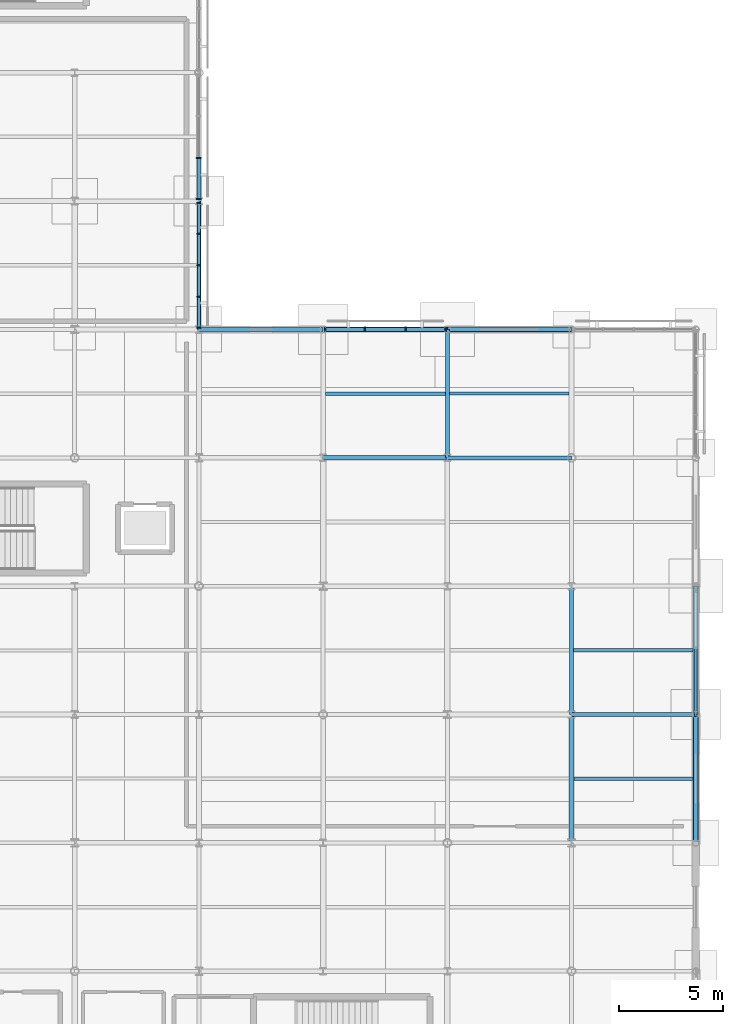
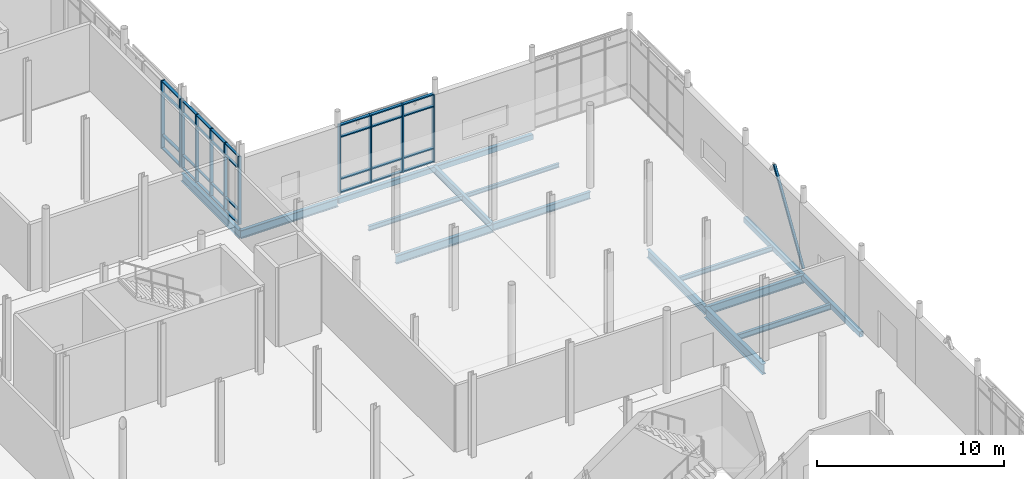
# One storey, part 55 of 98: 44 members, 16 beams, 3 elements without a shape of their own.
"""IFC4 building model written with IfcOpenShell, lengths in metres."""

from ifc_helpers import new_model, si_unit, direction, frame, origin, origin_2d, place, context, subcontext, project, spatial, rectangle, hollow_rectangle, i_section, extrude, material, layer, layer_set, material_profile, profile_set, type_object, element, aggregate, save


model = new_model("IFC4")

# Units and contexts
model_context = context("Model", 3, precision=1e-05, world=origin(), true_north=direction((0.0, 1.0)))
body_context = subcontext(model_context, "Body", "Model", "MODEL_VIEW")
ifc_project = project(units=[si_unit("LENGTHUNIT", "METRE"), si_unit("AREAUNIT", "SQUARE_METRE"), si_unit("VOLUMEUNIT", "CUBIC_METRE"), si_unit("PLANEANGLEUNIT", "RADIAN"), si_unit("MASSUNIT", "GRAM", prefix="KILO")], contexts=[model_context])

# Site, building, storey
site_placement = place(None, origin())
site = spatial("IfcSite", under=ifc_project, at=site_placement, CompositionType="ELEMENT")
building_placement = place(site_placement, origin())
building = spatial("IfcBuilding", under=site, at=building_placement, Name="Mirzam Square Science Centre", CompositionType="ELEMENT")
storey_placement = place(building_placement, origin())
storey = spatial("IfcBuildingStorey", under=building, at=storey_placement, Name="L00", CompositionType="ELEMENT", Elevation=0.0)

# Beams
ifc_material_1 = material(Name="Steel S355", Category="steel")
ifc_material_profile_1 = material_profile(ifc_material_1, i_section(OverallWidth=0.19140625, OverallDepth=0.4599609375, WebThickness=0.010009765625, FlangeThickness=0.01611328125, FilletRadius=0.01025390625, at=origin_2d()), Name="457x191x82UB")
ifc_profile_set_1 = profile_set([ifc_material_profile_1], Name="Steel S355")
beam_type_1 = type_object("IfcBeamType", Name="BM-UB457", PredefinedType="BEAM", material=ifc_profile_set_1)
beam_1_placement = place(storey_placement, frame((150.0, 80.60009765625, -0.530029296875), z_axis=(1.0, 0.0, 0.0), x_axis=(0.0, 1.0, 0.0)))
element("IfcBeam", 1, at=beam_1_placement, inside=storey, type_object=beam_type_1, Name="L00 girder X26-14", PredefinedType="BEAM", context=body_context, shape_type="SweptSolid", body=[
    extrude(i_section(OverallWidth=0.19140625, OverallDepth=0.4599609375, WebThickness=0.010009765625, FlangeThickness=0.01611328125, FilletRadius=0.01025390625, at=origin_2d()), origin(), (0.0, 0.0, 1.0), 6.0),
])
beam_2_placement = place(storey_placement, frame((150.0, 80.60009765625, -0.530029296875), z_axis=(0.0, 1.0, 0.0), x_axis=(-1.0, 0.0, 0.0)))
element("IfcBeam", 2, at=beam_2_placement, inside=storey, type_object=beam_type_1, Name="L00 girder Y26-14", PredefinedType="BEAM", context=body_context, shape_type="SweptSolid", body=[
    extrude(i_section(OverallWidth=0.19140625, OverallDepth=0.4599609375, WebThickness=0.010009765625, FlangeThickness=0.01611328125, FilletRadius=0.01025390625, at=origin_2d()), origin(), (0.0, 0.0, 1.0), 6.199951171875),
])
ifc_material_profile_2 = material_profile(ifc_material_1, i_section(OverallWidth=0.2099609375, OverallDepth=0.53662109375, WebThickness=0.0107421875, FlangeThickness=0.017333984375, FilletRadius=0.0126953125, at=origin_2d()), Name="533x210x101UB")
ifc_profile_set_2 = profile_set([ifc_material_profile_2], Name="Steel S355")
beam_type_2 = type_object("IfcBeamType", Name="BM-UB533", PredefinedType="BEAM", material=ifc_profile_set_2)
for number, where, z_axis, x_axis, name in (
    (3, (156.0, 68.199951171875, -0.568359375), (1.0, 0.0, 0.0), (0.0, 1.0, 0.0), "L00 girder X27-12"),
    (4, (144.0, 80.60009765625, -0.568359375), (1.0, 0.0, 0.0), (0.0, 1.0, 0.0), "L00 girder X25-14"),
    (5, (138.0, 86.800048828125, -0.568359375), (1.0, 0.0, 0.0), (0.0, 1.0, 0.0), "L00 girder X24-15"),
):
    element("IfcBeam", number, at=place(storey_placement, frame(where, z_axis=z_axis, x_axis=x_axis)), inside=storey, type_object=beam_type_2, Name=name, PredefinedType="BEAM", context=body_context, shape_type="SweptSolid", body=[
        extrude(i_section(OverallWidth=0.2099609375, OverallDepth=0.53662109375, WebThickness=0.0107421875, FlangeThickness=0.017333984375, FilletRadius=0.0126953125, at=origin_2d()), origin(), (0.0, 0.0, 1.0), 6.0),
    ])
for number, where, z_axis, x_axis, name in (
    (6, (138.0, 86.800048828125, -0.568359375), (0.0, 1.0, 0.0), (-1.0, 0.0, 0.0), "L00 girder Y24-15"),
    (7, (156.0, 68.199951171875, -0.568359375), (0.0, 1.0, 0.0), (-1.0, 0.0, 0.0), "L00 girder Y27-12"),
):
    element("IfcBeam", number, at=place(storey_placement, frame(where, z_axis=z_axis, x_axis=x_axis)), inside=storey, type_object=beam_type_2, Name=name, PredefinedType="BEAM", context=body_context, shape_type="SweptSolid", body=[
        extrude(i_section(OverallWidth=0.2099609375, OverallDepth=0.53662109375, WebThickness=0.0107421875, FlangeThickness=0.017333984375, FilletRadius=0.0126953125, at=origin_2d()), origin(), (0.0, 0.0, 1.0), 6.199951171875),
    ])
ifc_material_profile_3 = material_profile(ifc_material_1, i_section(OverallWidth=0.25439453125, OverallDepth=0.6875, WebThickness=0.01318359375, FlangeThickness=0.02099609375, FilletRadius=0.01513671875, at=origin_2d()), Name="686x254x152UB")
ifc_profile_set_3 = profile_set([ifc_material_profile_3], Name="Steel S355")
beam_type_3 = type_object("IfcBeamType", Name="BM-UB686", PredefinedType="BEAM", material=ifc_profile_set_3)
beam_3_placement = place(storey_placement, frame((156.0, 62.0, -0.643798828125), z_axis=(0.0, 1.0, 0.0), x_axis=(-1.0, 0.0, 0.0)))
element("IfcBeam", 8, at=beam_3_placement, inside=storey, type_object=beam_type_3, Name="L00 girder Y27-11", PredefinedType="BEAM", context=body_context, shape_type="SweptSolid", body=[
    extrude(i_section(OverallWidth=0.25439453125, OverallDepth=0.6875, WebThickness=0.01318359375, FlangeThickness=0.02099609375, FilletRadius=0.01513671875, at=origin_2d()), origin(), (0.0, 0.0, 1.0), 6.199951171875),
])

# Member
ifc_material_profile_4 = material_profile(ifc_material_1, hollow_rectangle(XDim=0.14990234375, YDim=0.14990234375, WallThickness=0.008056640625, InnerFilletRadius=0.008056640625, OuterFilletRadius=0.01611328125, at=origin_2d()), Name="150x150x8.0SHS")
ifc_profile_set_4 = profile_set([ifc_material_profile_4], Name="Steel S355")
member_type_1 = type_object("IfcMemberType", Name="BR-SHS150", PredefinedType="BRACE", material=ifc_profile_set_4)
member_1_placement = place(storey_placement, frame((162.0, 68.199951171875, 0.050048828125), z_axis=(0.0, 0.532707561114, 0.84629938812), x_axis=(-1.0, 0.0, 0.0)))
element("IfcMember", 9, at=member_1_placement, inside=storey, type_object=member_type_1, Name="L00 chevron brace 5A", PredefinedType="BRACE", context=body_context, shape_type="SweptSolid", body=[
    extrude(hollow_rectangle(XDim=0.14990234375, YDim=0.14990234375, WallThickness=0.008056640625, InnerFilletRadius=0.008056640625, OuterFilletRadius=0.01611328125, at=origin_2d()), origin(), (0.0, 0.0, 1.0), 5.819580078125),
])

# Curtain wall, members
ifc_material_2 = material(Name="Anodised Aluminium and Low-E Solar Glass", Category="aluminium")
ifc_layer_1 = layer(ifc_material_2, 0.199951171875)
ifc_layer_set_1 = layer_set([ifc_layer_1], Name="CW-EAST-A")
curtain_wall_type_1 = type_object("IfcCurtainWallType", Name="CW-EAST-A", PredefinedType="USERDEFINED", material=ifc_layer_set_1)
curtain_wall_1_placement = place(storey_placement, origin())
curtain_wall_1 = element("IfcCurtainWall", 10, at=curtain_wall_1_placement, inside=storey, type_object=curtain_wall_type_1, Name="L00 unitised curtain wall 76", ObjectType="UNITISED CURTAIN WALL", PredefinedType="USERDEFINED")
ifc_material_3 = material(Name="Anodised Architectural Aluminium 6063-T6", Category="aluminium")
ifc_material_profile_5 = material_profile(ifc_material_3, rectangle(XDim=0.06494140625, YDim=0.199951171875, at=origin_2d()), Name="ALU-MULL-200x65x5")
ifc_profile_set_5 = profile_set([ifc_material_profile_5], Name="Anodised Architectural Aluminium 6063-T6")
member_type_2 = type_object("IfcMemberType", Name="CWM-200", PredefinedType="MULLION", material=ifc_profile_set_5)
member_2_placement = place(storey_placement, frame((138.0, 86.887451171875, 0.0), z_axis=(0.0, 0.0, 1.0), x_axis=(0.0, 1.0, 0.0)))
member_2 = element("IfcMember", 11, at=member_2_placement, type_object=member_type_2, Name="CW-05 mullion 1", PredefinedType="MULLION", context=body_context, shape_type="SweptSolid", body=[
    extrude(rectangle(XDim=0.06494140625, YDim=0.199951171875, at=origin_2d()), origin(), (0.0, 0.0, 1.0), 4.43994140625),
])
member_3_placement = place(storey_placement, frame((138.0, 88.37744140625, 0.0), z_axis=(0.0, 0.0, 1.0), x_axis=(0.0, 1.0, 0.0)))
member_3 = element("IfcMember", 12, at=member_3_placement, type_object=member_type_2, Name="CW-05 mullion 2", PredefinedType="MULLION", context=body_context, shape_type="SweptSolid", body=[
    extrude(rectangle(XDim=0.06494140625, YDim=0.199951171875, at=origin_2d()), origin(), (0.0, 0.0, 1.0), 4.43994140625),
])
member_4_placement = place(storey_placement, frame((138.0, 89.89990234375, 0.0), z_axis=(0.0, 0.0, 1.0), x_axis=(0.0, 1.0, 0.0)))
member_4 = element("IfcMember", 13, at=member_4_placement, type_object=member_type_2, Name="CW-05 mullion 3", PredefinedType="MULLION", context=body_context, shape_type="SweptSolid", body=[
    extrude(rectangle(XDim=0.06494140625, YDim=0.199951171875, at=origin_2d()), origin(), (0.0, 0.0, 1.0), 4.43994140625),
])
member_5_placement = place(storey_placement, frame((138.0, 91.422607421875, 0.0), z_axis=(0.0, 0.0, 1.0), x_axis=(0.0, 1.0, 0.0)))
member_5 = element("IfcMember", 14, at=member_5_placement, type_object=member_type_2, Name="CW-05 mullion 4", PredefinedType="MULLION", context=body_context, shape_type="SweptSolid", body=[
    extrude(rectangle(XDim=0.06494140625, YDim=0.199951171875, at=origin_2d()), origin(), (0.0, 0.0, 1.0), 4.43994140625),
])
member_6_placement = place(storey_placement, frame((138.0, 92.91259765625, 0.0), z_axis=(0.0, 0.0, 1.0), x_axis=(0.0, 1.0, 0.0)))
member_6 = element("IfcMember", 15, at=member_6_placement, type_object=member_type_2, Name="CW-05 mullion 5", PredefinedType="MULLION", context=body_context, shape_type="SweptSolid", body=[
    extrude(rectangle(XDim=0.06494140625, YDim=0.199951171875, at=origin_2d()), origin(), (0.0, 0.0, 1.0), 4.43994140625),
])

ifc_layer_2 = layer(ifc_material_2, 0.239990234375)
ifc_layer_set_2 = layer_set([ifc_layer_2], Name="CW-EAST-B")
curtain_wall_type_2 = type_object("IfcCurtainWallType", Name="CW-EAST-B", PredefinedType="USERDEFINED", material=ifc_layer_set_2)
curtain_wall_2_placement = place(storey_placement, origin())
curtain_wall_2 = element("IfcCurtainWall", 16, at=curtain_wall_2_placement, inside=storey, type_object=curtain_wall_type_2, Name="L00 unitised curtain wall 70", ObjectType="UNITISED CURTAIN WALL", PredefinedType="USERDEFINED")
ifc_material_profile_6 = material_profile(ifc_material_3, rectangle(XDim=0.074951171875, YDim=0.239990234375, at=origin_2d()), Name="ALU-MULL-240x75x5")
ifc_profile_set_6 = profile_set([ifc_material_profile_6], Name="Anodised Architectural Aluminium 6063-T6")
member_type_3 = type_object("IfcMemberType", Name="CWM-240", PredefinedType="MULLION", material=ifc_profile_set_6)
member_7_placement = place(storey_placement, frame((149.907470703125, 86.800048828125, 0.0), z_axis=(0.0, 0.0, 1.0), x_axis=(-1.0, 0.0, 0.0)))
member_7 = element("IfcMember", 17, at=member_7_placement, type_object=member_type_3, Name="CW-06 mullion 1", PredefinedType="MULLION", context=body_context, shape_type="SweptSolid", body=[
    extrude(rectangle(XDim=0.074951171875, YDim=0.239990234375, at=origin_2d()), origin(), (0.0, 0.0, 1.0), 4.43994140625),
])
member_8_placement = place(storey_placement, frame((147.981689453125, 86.800048828125, 0.0), z_axis=(0.0, 0.0, 1.0), x_axis=(-1.0, 0.0, 0.0)))
member_8 = element("IfcMember", 18, at=member_8_placement, type_object=member_type_3, Name="CW-06 mullion 2", PredefinedType="MULLION", context=body_context, shape_type="SweptSolid", body=[
    extrude(rectangle(XDim=0.074951171875, YDim=0.239990234375, at=origin_2d()), origin(), (0.0, 0.0, 1.0), 4.43994140625),
])
member_9_placement = place(storey_placement, frame((146.018310546875, 86.800048828125, 0.0), z_axis=(0.0, 0.0, 1.0), x_axis=(-1.0, 0.0, 0.0)))
member_9 = element("IfcMember", 19, at=member_9_placement, type_object=member_type_3, Name="CW-06 mullion 3", PredefinedType="MULLION", context=body_context, shape_type="SweptSolid", body=[
    extrude(rectangle(XDim=0.074951171875, YDim=0.239990234375, at=origin_2d()), origin(), (0.0, 0.0, 1.0), 4.43994140625),
])
member_10_placement = place(storey_placement, frame((144.092529296875, 86.800048828125, 0.0), z_axis=(0.0, 0.0, 1.0), x_axis=(-1.0, 0.0, 0.0)))
member_10 = element("IfcMember", 20, at=member_10_placement, type_object=member_type_3, Name="CW-06 mullion 4", PredefinedType="MULLION", context=body_context, shape_type="SweptSolid", body=[
    extrude(rectangle(XDim=0.074951171875, YDim=0.239990234375, at=origin_2d()), origin(), (0.0, 0.0, 1.0), 4.43994140625),
])

curtain_wall_3_placement = place(storey_placement, origin())
curtain_wall_3 = element("IfcCurtainWall", 21, at=curtain_wall_3_placement, inside=storey, type_object=curtain_wall_type_2, Name="L00 unitised curtain wall 77", ObjectType="UNITISED CURTAIN WALL", PredefinedType="USERDEFINED")
member_11_placement = place(storey_placement, frame((138.0, 93.092529296875, 0.0), z_axis=(0.0, 0.0, 1.0), x_axis=(0.0, 1.0, 0.0)))
member_11 = element("IfcMember", 22, at=member_11_placement, type_object=member_type_3, Name="CW-06 mullion 1", PredefinedType="MULLION", context=body_context, shape_type="SweptSolid", body=[
    extrude(rectangle(XDim=0.074951171875, YDim=0.239990234375, at=origin_2d()), origin(), (0.0, 0.0, 1.0), 4.43994140625),
])
member_12_placement = place(storey_placement, frame((138.0, 95.0849609375, 0.0), z_axis=(0.0, 0.0, 1.0), x_axis=(0.0, 1.0, 0.0)))
member_12 = element("IfcMember", 23, at=member_12_placement, type_object=member_type_3, Name="CW-06 mullion 2", PredefinedType="MULLION", context=body_context, shape_type="SweptSolid", body=[
    extrude(rectangle(XDim=0.074951171875, YDim=0.239990234375, at=origin_2d()), origin(), (0.0, 0.0, 1.0), 4.43994140625),
])

# Member
ifc_material_profile_7 = material_profile(ifc_material_3, rectangle(XDim=0.14990234375, YDim=0.06494140625, at=origin_2d()), Name="ALU-TRAN-150x65x4")
ifc_profile_set_7 = profile_set([ifc_material_profile_7], Name="Anodised Architectural Aluminium 6063-T6")
member_type_4 = type_object("IfcMemberType", Name="CWT-150", PredefinedType="USERDEFINED", material=ifc_profile_set_7)
member_13_placement = place(storey_placement, frame((138.0, 86.919921875, 0.032470703125), z_axis=(0.0, 1.0, 0.0), x_axis=(-1.0, 0.0, 0.0)))
member_13 = element("IfcMember", 24, at=member_13_placement, type_object=member_type_4, Name="CW-05 transom 1.1", ObjectType="TRANSOM", PredefinedType="USERDEFINED", context=body_context, shape_type="SweptSolid", body=[
    extrude(rectangle(XDim=0.14990234375, YDim=0.06494140625, at=origin_2d()), origin(), (0.0, 0.0, 1.0), 1.425048828125),
])

member_14_placement = place(storey_placement, frame((138.0, 86.919921875, 0.89990234375), z_axis=(0.0, 1.0, 0.0), x_axis=(-1.0, 0.0, 0.0)))
member_14 = element("IfcMember", 25, at=member_14_placement, type_object=member_type_4, Name="CW-05 transom 1.2", ObjectType="TRANSOM", PredefinedType="USERDEFINED", context=body_context, shape_type="SweptSolid", body=[
    extrude(rectangle(XDim=0.14990234375, YDim=0.06494140625, at=origin_2d()), origin(), (0.0, 0.0, 1.0), 1.425048828125),
])

member_15_placement = place(storey_placement, frame((138.0, 86.919921875, 3.639892578125), z_axis=(0.0, 1.0, 0.0), x_axis=(-1.0, 0.0, 0.0)))
member_15 = element("IfcMember", 26, at=member_15_placement, type_object=member_type_4, Name="CW-05 transom 1.3", ObjectType="TRANSOM", PredefinedType="USERDEFINED", context=body_context, shape_type="SweptSolid", body=[
    extrude(rectangle(XDim=0.14990234375, YDim=0.06494140625, at=origin_2d()), origin(), (0.0, 0.0, 1.0), 1.425048828125),
])

member_16_placement = place(storey_placement, frame((138.0, 86.919921875, 4.407470703125), z_axis=(0.0, 1.0, 0.0), x_axis=(-1.0, 0.0, 0.0)))
member_16 = element("IfcMember", 27, at=member_16_placement, type_object=member_type_4, Name="CW-05 transom 1.4", ObjectType="TRANSOM", PredefinedType="USERDEFINED", context=body_context, shape_type="SweptSolid", body=[
    extrude(rectangle(XDim=0.14990234375, YDim=0.06494140625, at=origin_2d()), origin(), (0.0, 0.0, 1.0), 1.425048828125),
])

member_17_placement = place(storey_placement, frame((138.0, 88.409912109375, 0.032470703125), z_axis=(0.0, 1.0, 0.0), x_axis=(-1.0, 0.0, 0.0)))
member_17 = element("IfcMember", 28, at=member_17_placement, type_object=member_type_4, Name="CW-05 transom 2.1", ObjectType="TRANSOM", PredefinedType="USERDEFINED", context=body_context, shape_type="SweptSolid", body=[
    extrude(rectangle(XDim=0.14990234375, YDim=0.06494140625, at=origin_2d()), origin(), (0.0, 0.0, 1.0), 1.45751953125),
])

member_18_placement = place(storey_placement, frame((138.0, 88.409912109375, 0.89990234375), z_axis=(0.0, 1.0, 0.0), x_axis=(-1.0, 0.0, 0.0)))
member_18 = element("IfcMember", 29, at=member_18_placement, type_object=member_type_4, Name="CW-05 transom 2.2", ObjectType="TRANSOM", PredefinedType="USERDEFINED", context=body_context, shape_type="SweptSolid", body=[
    extrude(rectangle(XDim=0.14990234375, YDim=0.06494140625, at=origin_2d()), origin(), (0.0, 0.0, 1.0), 1.45751953125),
])

member_19_placement = place(storey_placement, frame((138.0, 88.409912109375, 3.639892578125), z_axis=(0.0, 1.0, 0.0), x_axis=(-1.0, 0.0, 0.0)))
member_19 = element("IfcMember", 30, at=member_19_placement, type_object=member_type_4, Name="CW-05 transom 2.3", ObjectType="TRANSOM", PredefinedType="USERDEFINED", context=body_context, shape_type="SweptSolid", body=[
    extrude(rectangle(XDim=0.14990234375, YDim=0.06494140625, at=origin_2d()), origin(), (0.0, 0.0, 1.0), 1.45751953125),
])

member_20_placement = place(storey_placement, frame((138.0, 88.409912109375, 4.407470703125), z_axis=(0.0, 1.0, 0.0), x_axis=(-1.0, 0.0, 0.0)))
member_20 = element("IfcMember", 31, at=member_20_placement, type_object=member_type_4, Name="CW-05 transom 2.4", ObjectType="TRANSOM", PredefinedType="USERDEFINED", context=body_context, shape_type="SweptSolid", body=[
    extrude(rectangle(XDim=0.14990234375, YDim=0.06494140625, at=origin_2d()), origin(), (0.0, 0.0, 1.0), 1.45751953125),
])

member_21_placement = place(storey_placement, frame((138.0, 89.9326171875, 0.032470703125), z_axis=(0.0, 1.0, 0.0), x_axis=(-1.0, 0.0, 0.0)))
member_21 = element("IfcMember", 32, at=member_21_placement, type_object=member_type_4, Name="CW-05 transom 3.1", ObjectType="TRANSOM", PredefinedType="USERDEFINED", context=body_context, shape_type="SweptSolid", body=[
    extrude(rectangle(XDim=0.14990234375, YDim=0.06494140625, at=origin_2d()), origin(), (0.0, 0.0, 1.0), 1.457275390625),
])

member_22_placement = place(storey_placement, frame((138.0, 89.9326171875, 0.89990234375), z_axis=(0.0, 1.0, 0.0), x_axis=(-1.0, 0.0, 0.0)))
member_22 = element("IfcMember", 33, at=member_22_placement, type_object=member_type_4, Name="CW-05 transom 3.2", ObjectType="TRANSOM", PredefinedType="USERDEFINED", context=body_context, shape_type="SweptSolid", body=[
    extrude(rectangle(XDim=0.14990234375, YDim=0.06494140625, at=origin_2d()), origin(), (0.0, 0.0, 1.0), 1.457275390625),
])

member_23_placement = place(storey_placement, frame((138.0, 89.9326171875, 3.639892578125), z_axis=(0.0, 1.0, 0.0), x_axis=(-1.0, 0.0, 0.0)))
member_23 = element("IfcMember", 34, at=member_23_placement, type_object=member_type_4, Name="CW-05 transom 3.3", ObjectType="TRANSOM", PredefinedType="USERDEFINED", context=body_context, shape_type="SweptSolid", body=[
    extrude(rectangle(XDim=0.14990234375, YDim=0.06494140625, at=origin_2d()), origin(), (0.0, 0.0, 1.0), 1.457275390625),
])

member_24_placement = place(storey_placement, frame((138.0, 89.9326171875, 4.407470703125), z_axis=(0.0, 1.0, 0.0), x_axis=(-1.0, 0.0, 0.0)))
member_24 = element("IfcMember", 35, at=member_24_placement, type_object=member_type_4, Name="CW-05 transom 3.4", ObjectType="TRANSOM", PredefinedType="USERDEFINED", context=body_context, shape_type="SweptSolid", body=[
    extrude(rectangle(XDim=0.14990234375, YDim=0.06494140625, at=origin_2d()), origin(), (0.0, 0.0, 1.0), 1.457275390625),
])

member_25_placement = place(storey_placement, frame((138.0, 91.455078125, 0.032470703125), z_axis=(0.0, 1.0, 0.0), x_axis=(-1.0, 0.0, 0.0)))
member_25 = element("IfcMember", 36, at=member_25_placement, type_object=member_type_4, Name="CW-05 transom 4.1", ObjectType="TRANSOM", PredefinedType="USERDEFINED", context=body_context, shape_type="SweptSolid", body=[
    extrude(rectangle(XDim=0.14990234375, YDim=0.06494140625, at=origin_2d()), origin(), (0.0, 0.0, 1.0), 1.4248046875),
])

member_26_placement = place(storey_placement, frame((138.0, 91.455078125, 0.89990234375), z_axis=(0.0, 1.0, 0.0), x_axis=(-1.0, 0.0, 0.0)))
member_26 = element("IfcMember", 37, at=member_26_placement, type_object=member_type_4, Name="CW-05 transom 4.2", ObjectType="TRANSOM", PredefinedType="USERDEFINED", context=body_context, shape_type="SweptSolid", body=[
    extrude(rectangle(XDim=0.14990234375, YDim=0.06494140625, at=origin_2d()), origin(), (0.0, 0.0, 1.0), 1.4248046875),
])

member_27_placement = place(storey_placement, frame((138.0, 91.455078125, 3.639892578125), z_axis=(0.0, 1.0, 0.0), x_axis=(-1.0, 0.0, 0.0)))
member_27 = element("IfcMember", 38, at=member_27_placement, type_object=member_type_4, Name="CW-05 transom 4.3", ObjectType="TRANSOM", PredefinedType="USERDEFINED", context=body_context, shape_type="SweptSolid", body=[
    extrude(rectangle(XDim=0.14990234375, YDim=0.06494140625, at=origin_2d()), origin(), (0.0, 0.0, 1.0), 1.4248046875),
])

member_28_placement = place(storey_placement, frame((138.0, 91.455078125, 4.407470703125), z_axis=(0.0, 1.0, 0.0), x_axis=(-1.0, 0.0, 0.0)))
member_28 = element("IfcMember", 39, at=member_28_placement, type_object=member_type_4, Name="CW-05 transom 4.4", ObjectType="TRANSOM", PredefinedType="USERDEFINED", context=body_context, shape_type="SweptSolid", body=[
    extrude(rectangle(XDim=0.14990234375, YDim=0.06494140625, at=origin_2d()), origin(), (0.0, 0.0, 1.0), 1.4248046875),
])

aggregate(curtain_wall_1, [member_2, member_3, member_4, member_5, member_6, member_13, member_14, member_15, member_16, member_17, member_18, member_19, member_20, member_21, member_22, member_23, member_24, member_25, member_26, member_27, member_28])

ifc_material_profile_8 = material_profile(ifc_material_3, rectangle(XDim=0.179931640625, YDim=0.074951171875, at=origin_2d()), Name="ALU-TRAN-180x75x5")
ifc_profile_set_8 = profile_set([ifc_material_profile_8], Name="Anodised Architectural Aluminium 6063-T6")
member_type_5 = type_object("IfcMemberType", Name="CWT-180", PredefinedType="USERDEFINED", material=ifc_profile_set_8)
member_29_placement = place(storey_placement, frame((149.8701171875, 86.800048828125, 0.03759765625), z_axis=(-1.0, 0.0, 0.0), x_axis=(0.0, -1.0, 0.0)))
member_29 = element("IfcMember", 40, at=member_29_placement, type_object=member_type_5, Name="CW-06 transom 1.1", ObjectType="TRANSOM", PredefinedType="USERDEFINED", context=body_context, shape_type="SweptSolid", body=[
    extrude(rectangle(XDim=0.179931640625, YDim=0.074951171875, at=origin_2d()), origin(), (0.0, 0.0, 1.0), 1.850830078125),
])

member_30_placement = place(storey_placement, frame((149.8701171875, 86.800048828125, 0.89990234375), z_axis=(-1.0, 0.0, 0.0), x_axis=(0.0, -1.0, 0.0)))
member_30 = element("IfcMember", 41, at=member_30_placement, type_object=member_type_5, Name="CW-06 transom 1.2", ObjectType="TRANSOM", PredefinedType="USERDEFINED", context=body_context, shape_type="SweptSolid", body=[
    extrude(rectangle(XDim=0.179931640625, YDim=0.074951171875, at=origin_2d()), origin(), (0.0, 0.0, 1.0), 1.850830078125),
])

member_31_placement = place(storey_placement, frame((149.8701171875, 86.800048828125, 3.639892578125), z_axis=(-1.0, 0.0, 0.0), x_axis=(0.0, -1.0, 0.0)))
member_31 = element("IfcMember", 42, at=member_31_placement, type_object=member_type_5, Name="CW-06 transom 1.3", ObjectType="TRANSOM", PredefinedType="USERDEFINED", context=body_context, shape_type="SweptSolid", body=[
    extrude(rectangle(XDim=0.179931640625, YDim=0.074951171875, at=origin_2d()), origin(), (0.0, 0.0, 1.0), 1.850830078125),
])

member_32_placement = place(storey_placement, frame((149.8701171875, 86.800048828125, 4.402587890625), z_axis=(-1.0, 0.0, 0.0), x_axis=(0.0, -1.0, 0.0)))
member_32 = element("IfcMember", 43, at=member_32_placement, type_object=member_type_5, Name="CW-06 transom 1.4", ObjectType="TRANSOM", PredefinedType="USERDEFINED", context=body_context, shape_type="SweptSolid", body=[
    extrude(rectangle(XDim=0.179931640625, YDim=0.074951171875, at=origin_2d()), origin(), (0.0, 0.0, 1.0), 1.850830078125),
])

member_33_placement = place(storey_placement, frame((147.944091796875, 86.800048828125, 0.03759765625), z_axis=(-1.0, 0.0, 0.0), x_axis=(0.0, -1.0, 0.0)))
member_33 = element("IfcMember", 44, at=member_33_placement, type_object=member_type_5, Name="CW-06 transom 2.1", ObjectType="TRANSOM", PredefinedType="USERDEFINED", context=body_context, shape_type="SweptSolid", body=[
    extrude(rectangle(XDim=0.179931640625, YDim=0.074951171875, at=origin_2d()), origin(), (0.0, 0.0, 1.0), 1.88818359375),
])

member_34_placement = place(storey_placement, frame((147.944091796875, 86.800048828125, 0.89990234375), z_axis=(-1.0, 0.0, 0.0), x_axis=(0.0, -1.0, 0.0)))
member_34 = element("IfcMember", 45, at=member_34_placement, type_object=member_type_5, Name="CW-06 transom 2.2", ObjectType="TRANSOM", PredefinedType="USERDEFINED", context=body_context, shape_type="SweptSolid", body=[
    extrude(rectangle(XDim=0.179931640625, YDim=0.074951171875, at=origin_2d()), origin(), (0.0, 0.0, 1.0), 1.88818359375),
])

member_35_placement = place(storey_placement, frame((147.944091796875, 86.800048828125, 3.639892578125), z_axis=(-1.0, 0.0, 0.0), x_axis=(0.0, -1.0, 0.0)))
member_35 = element("IfcMember", 46, at=member_35_placement, type_object=member_type_5, Name="CW-06 transom 2.3", ObjectType="TRANSOM", PredefinedType="USERDEFINED", context=body_context, shape_type="SweptSolid", body=[
    extrude(rectangle(XDim=0.179931640625, YDim=0.074951171875, at=origin_2d()), origin(), (0.0, 0.0, 1.0), 1.88818359375),
])

member_36_placement = place(storey_placement, frame((147.944091796875, 86.800048828125, 4.402587890625), z_axis=(-1.0, 0.0, 0.0), x_axis=(0.0, -1.0, 0.0)))
member_36 = element("IfcMember", 47, at=member_36_placement, type_object=member_type_5, Name="CW-06 transom 2.4", ObjectType="TRANSOM", PredefinedType="USERDEFINED", context=body_context, shape_type="SweptSolid", body=[
    extrude(rectangle(XDim=0.179931640625, YDim=0.074951171875, at=origin_2d()), origin(), (0.0, 0.0, 1.0), 1.88818359375),
])

member_37_placement = place(storey_placement, frame((145.980712890625, 86.800048828125, 0.03759765625), z_axis=(-1.0, 0.0, 0.0), x_axis=(0.0, -1.0, 0.0)))
member_37 = element("IfcMember", 48, at=member_37_placement, type_object=member_type_5, Name="CW-06 transom 3.1", ObjectType="TRANSOM", PredefinedType="USERDEFINED", context=body_context, shape_type="SweptSolid", body=[
    extrude(rectangle(XDim=0.179931640625, YDim=0.074951171875, at=origin_2d()), origin(), (0.0, 0.0, 1.0), 1.850830078125),
])

member_38_placement = place(storey_placement, frame((145.980712890625, 86.800048828125, 0.89990234375), z_axis=(-1.0, 0.0, 0.0), x_axis=(0.0, -1.0, 0.0)))
member_38 = element("IfcMember", 49, at=member_38_placement, type_object=member_type_5, Name="CW-06 transom 3.2", ObjectType="TRANSOM", PredefinedType="USERDEFINED", context=body_context, shape_type="SweptSolid", body=[
    extrude(rectangle(XDim=0.179931640625, YDim=0.074951171875, at=origin_2d()), origin(), (0.0, 0.0, 1.0), 1.850830078125),
])

member_39_placement = place(storey_placement, frame((145.980712890625, 86.800048828125, 3.639892578125), z_axis=(-1.0, 0.0, 0.0), x_axis=(0.0, -1.0, 0.0)))
member_39 = element("IfcMember", 50, at=member_39_placement, type_object=member_type_5, Name="CW-06 transom 3.3", ObjectType="TRANSOM", PredefinedType="USERDEFINED", context=body_context, shape_type="SweptSolid", body=[
    extrude(rectangle(XDim=0.179931640625, YDim=0.074951171875, at=origin_2d()), origin(), (0.0, 0.0, 1.0), 1.850830078125),
])

member_40_placement = place(storey_placement, frame((145.980712890625, 86.800048828125, 4.402587890625), z_axis=(-1.0, 0.0, 0.0), x_axis=(0.0, -1.0, 0.0)))
member_40 = element("IfcMember", 51, at=member_40_placement, type_object=member_type_5, Name="CW-06 transom 3.4", ObjectType="TRANSOM", PredefinedType="USERDEFINED", context=body_context, shape_type="SweptSolid", body=[
    extrude(rectangle(XDim=0.179931640625, YDim=0.074951171875, at=origin_2d()), origin(), (0.0, 0.0, 1.0), 1.850830078125),
])

aggregate(curtain_wall_2, [member_7, member_8, member_9, member_10, member_29, member_30, member_31, member_32, member_33, member_34, member_35, member_36, member_37, member_38, member_39, member_40])

member_41_placement = place(storey_placement, frame((138.0, 93.1298828125, 0.03759765625), z_axis=(0.0, 1.0, 0.0), x_axis=(-1.0, 0.0, 0.0)))
member_41 = element("IfcMember", 52, at=member_41_placement, type_object=member_type_5, Name="CW-06 transom 1.1", ObjectType="TRANSOM", PredefinedType="USERDEFINED", context=body_context, shape_type="SweptSolid", body=[
    extrude(rectangle(XDim=0.179931640625, YDim=0.074951171875, at=origin_2d()), origin(), (0.0, 0.0, 1.0), 1.917724609375),
])

member_42_placement = place(storey_placement, frame((138.0, 93.1298828125, 0.89990234375), z_axis=(0.0, 1.0, 0.0), x_axis=(-1.0, 0.0, 0.0)))
member_42 = element("IfcMember", 53, at=member_42_placement, type_object=member_type_5, Name="CW-06 transom 1.2", ObjectType="TRANSOM", PredefinedType="USERDEFINED", context=body_context, shape_type="SweptSolid", body=[
    extrude(rectangle(XDim=0.179931640625, YDim=0.074951171875, at=origin_2d()), origin(), (0.0, 0.0, 1.0), 1.917724609375),
])

member_43_placement = place(storey_placement, frame((138.0, 93.1298828125, 3.639892578125), z_axis=(0.0, 1.0, 0.0), x_axis=(-1.0, 0.0, 0.0)))
member_43 = element("IfcMember", 54, at=member_43_placement, type_object=member_type_5, Name="CW-06 transom 1.3", ObjectType="TRANSOM", PredefinedType="USERDEFINED", context=body_context, shape_type="SweptSolid", body=[
    extrude(rectangle(XDim=0.179931640625, YDim=0.074951171875, at=origin_2d()), origin(), (0.0, 0.0, 1.0), 1.917724609375),
])

member_44_placement = place(storey_placement, frame((138.0, 93.1298828125, 4.402587890625), z_axis=(0.0, 1.0, 0.0), x_axis=(-1.0, 0.0, 0.0)))
member_44 = element("IfcMember", 55, at=member_44_placement, type_object=member_type_5, Name="CW-06 transom 1.4", ObjectType="TRANSOM", PredefinedType="USERDEFINED", context=body_context, shape_type="SweptSolid", body=[
    extrude(rectangle(XDim=0.179931640625, YDim=0.074951171875, at=origin_2d()), origin(), (0.0, 0.0, 1.0), 1.917724609375),
])

aggregate(curtain_wall_3, [member_11, member_12, member_41, member_42, member_43, member_44])

# Beams
ifc_material_profile_9 = material_profile(ifc_material_1, i_section(OverallWidth=0.146484375, OverallDepth=0.256103515625, WebThickness=0.00634765625, FlangeThickness=0.010986328125, FilletRadius=0.007568359375, at=origin_2d()), Name="254x146x37UB")
ifc_profile_set_9 = profile_set([ifc_material_profile_9], Name="Steel S355")
beam_type_4 = type_object("IfcBeamType", Name="JS-UB254", PredefinedType="JOIST", material=ifc_profile_set_9)
beam_4_placement = place(storey_placement, frame((150.095703125, 83.699951171875, -0.427978515625), z_axis=(1.0, 0.0, 0.0), x_axis=(0.0, 1.0, 0.0)))
element("IfcBeam", 56, at=beam_4_placement, inside=storey, type_object=beam_type_4, Name="L00 composite joist 26-14", PredefinedType="JOIST", context=body_context, shape_type="SweptSolid", body=[
    extrude(i_section(OverallWidth=0.146484375, OverallDepth=0.256103515625, WebThickness=0.00634765625, FlangeThickness=0.010986328125, FilletRadius=0.007568359375, at=origin_2d()), origin(), (0.0, 0.0, 1.0), 5.777099609375),
])
ifc_material_profile_10 = material_profile(ifc_material_1, i_section(OverallWidth=0.165771484375, OverallDepth=0.306640625, WebThickness=0.006591796875, FlangeThickness=0.01171875, FilletRadius=0.0087890625, at=origin_2d()), Name="305x165x46UB")
ifc_profile_set_10 = profile_set([ifc_material_profile_10], Name="Steel S355")
beam_type_5 = type_object("IfcBeamType", Name="JS-UB305", PredefinedType="JOIST", material=ifc_profile_set_10)
beam_5_placement = place(storey_placement, frame((144.10498046875, 83.699951171875, -0.453369140625), z_axis=(1.0, 0.0, 0.0), x_axis=(0.0, 1.0, 0.0)))
element("IfcBeam", 57, at=beam_5_placement, inside=storey, type_object=beam_type_5, Name="L00 composite joist 25-14", PredefinedType="JOIST", context=body_context, shape_type="SweptSolid", body=[
    extrude(i_section(OverallWidth=0.165771484375, OverallDepth=0.306640625, WebThickness=0.006591796875, FlangeThickness=0.01171875, FilletRadius=0.0087890625, at=origin_2d()), origin(), (0.0, 0.0, 1.0), 5.79931640625),
])
beam_6_placement = place(storey_placement, frame((156.10498046875, 71.300048828125, -0.453369140625), z_axis=(1.0, 0.0, 0.0), x_axis=(0.0, 1.0, 0.0)))
element("IfcBeam", 58, at=beam_6_placement, inside=storey, type_object=beam_type_5, Name="L00 composite joist 27-12", PredefinedType="JOIST", context=body_context, shape_type="SweptSolid", body=[
    extrude(i_section(OverallWidth=0.165771484375, OverallDepth=0.306640625, WebThickness=0.006591796875, FlangeThickness=0.01171875, FilletRadius=0.0087890625, at=origin_2d()), origin(), (0.0, 0.0, 1.0), 5.77001953125),
])
ifc_material_profile_11 = material_profile(ifc_material_1, i_section(OverallWidth=0.172119140625, OverallDepth=0.35791015625, WebThickness=0.008056640625, FlangeThickness=0.012939453125, FilletRadius=0.01025390625, at=origin_2d()), Name="356x171x57UB")
ifc_profile_set_11 = profile_set([ifc_material_profile_11], Name="Steel S355")
beam_type_6 = type_object("IfcBeamType", Name="JS-UB356", PredefinedType="JOIST", material=ifc_profile_set_11)
beam_7_placement = place(storey_placement, frame((156.127197265625, 65.10009765625, -0.47900390625), z_axis=(1.0, 0.0, 0.0), x_axis=(0.0, 1.0, 0.0)))
element("IfcBeam", 59, at=beam_7_placement, inside=storey, type_object=beam_type_6, Name="L00 composite joist 27-11", PredefinedType="JOIST", context=body_context, shape_type="SweptSolid", body=[
    extrude(i_section(OverallWidth=0.172119140625, OverallDepth=0.35791015625, WebThickness=0.008056640625, FlangeThickness=0.012939453125, FilletRadius=0.01025390625, at=origin_2d()), origin(), (0.0, 0.0, 1.0), 5.747802734375),
])
ifc_material_profile_12 = material_profile(ifc_material_1, hollow_rectangle(XDim=0.25, YDim=0.35009765625, WallThickness=0.012451171875, InnerFilletRadius=0.012451171875, OuterFilletRadius=0.02490234375, at=origin_2d()), Name="350x250x12.5RHS")
ifc_profile_set_12 = profile_set([ifc_material_profile_12], Name="Steel S355")
beam_type_7 = type_object("IfcBeamType", Name="SP-RHS350", PredefinedType="SPANDREL", material=ifc_profile_set_12)
for number, where, z_axis, x_axis, name in (
    (60, (144.0, 86.800048828125, -0.47509765625), (1.0, 0.0, 0.0), (0.0, 1.0, 0.0), "L00 girder X25-15"),
    (61, (150.0, 86.800048828125, -0.47509765625), (1.0, 0.0, 0.0), (0.0, 1.0, 0.0), "L00 girder X26-15"),
):
    element("IfcBeam", number, at=place(storey_placement, frame(where, z_axis=z_axis, x_axis=x_axis)), inside=storey, type_object=beam_type_7, Name=name, PredefinedType="SPANDREL", context=body_context, shape_type="SweptSolid", body=[
        extrude(hollow_rectangle(XDim=0.25, YDim=0.35009765625, WallThickness=0.012451171875, InnerFilletRadius=0.012451171875, OuterFilletRadius=0.02490234375, at=origin_2d()), origin(), (0.0, 0.0, 1.0), 6.0),
    ])
for number, where, z_axis, x_axis, name in (
    (62, (162.0, 62.0, -0.47509765625), (0.0, 1.0, 0.0), (-1.0, 0.0, 0.0), "L00 girder Y28-11"),
    (63, (162.0, 68.199951171875, -0.47509765625), (0.0, 1.0, 0.0), (-1.0, 0.0, 0.0), "L00 girder Y28-12"),
):
    element("IfcBeam", number, at=place(storey_placement, frame(where, z_axis=z_axis, x_axis=x_axis)), inside=storey, type_object=beam_type_7, Name=name, PredefinedType="SPANDREL", context=body_context, shape_type="SweptSolid", body=[
        extrude(hollow_rectangle(XDim=0.25, YDim=0.35009765625, WallThickness=0.012451171875, InnerFilletRadius=0.012451171875, OuterFilletRadius=0.02490234375, at=origin_2d()), origin(), (0.0, 0.0, 1.0), 6.199951171875),
    ])

save(model, "model.ifc")
